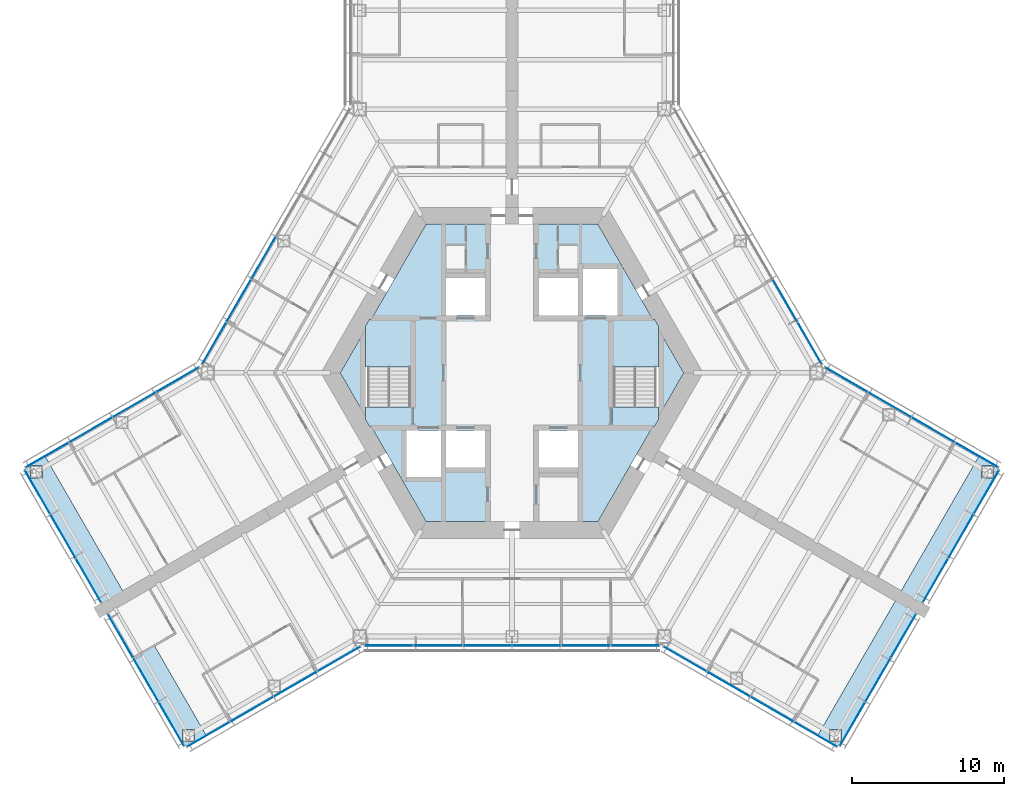
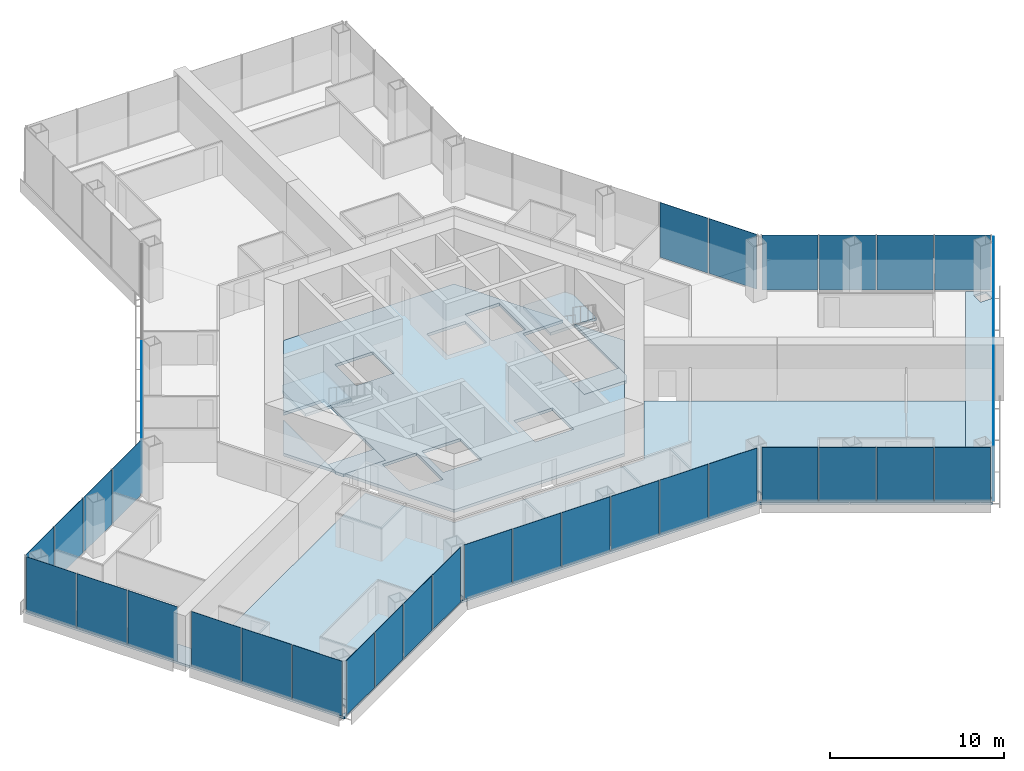
# One storey, part 10 of 18: 39 plates, 10 slabs, 13 elements without a shape of their own.
"""IFC4 building model written with IfcOpenShell, lengths in metres."""

from ifc_helpers import new_model, si_unit, direction, frame, origin, origin_2d, place, context, subcontext, project, spatial, polyline, rectangle, outline, extrude, material, layer, layer_set, type_object, element, aggregate, save


model = new_model("IFC4")

# Units and contexts
model_context = context("Model", 3, precision=1e-05, world=origin(), true_north=direction((0.0, 1.0)))
body_context = subcontext(model_context, "Body", "Model", "MODEL_VIEW")
ifc_project = project(units=[si_unit("LENGTHUNIT", "METRE"), si_unit("AREAUNIT", "SQUARE_METRE"), si_unit("VOLUMEUNIT", "CUBIC_METRE"), si_unit("PLANEANGLEUNIT", "RADIAN"), si_unit("MASSUNIT", "GRAM", prefix="KILO")], contexts=[model_context])

# Site, building, storey
site_placement = place(None, origin())
site = spatial("IfcSite", under=ifc_project, at=site_placement, CompositionType="ELEMENT")
building_placement = place(site_placement, origin())
building = spatial("IfcBuilding", under=site, at=building_placement, Name="Kasaneha Research Tower", CompositionType="ELEMENT")
storey_placement = place(building_placement, frame((0.0, 0.0, 119.699951171875)))
storey = spatial("IfcBuildingStorey", under=building, at=storey_placement, Name="L30", CompositionType="ELEMENT", Elevation=119.699951171875)

# Curtain wall, plates
ifc_material_1 = material(Name="Glass and aluminium", Category="aluminium")
curtain_wall_type = type_object("IfcCurtainWallType", Name="Low-rise office curtain wall", PredefinedType="USERDEFINED", material=ifc_material_1)
curtain_wall_1_placement = place(storey_placement, origin())
curtain_wall_1 = element("IfcCurtainWall", 1, at=curtain_wall_1_placement, inside=storey, type_object=curtain_wall_type, Name="CW-O1 L30 run 01a", ObjectType="UNITISED CURTAIN WALL", PredefinedType="USERDEFINED")
ifc_material_2 = material(Name="Laminated double glazing", Category="glass")
ifc_layer_1 = layer(ifc_material_2, 0.028076171875)
ifc_layer_set_1 = layer_set([ifc_layer_1], Name="CW-O1 glazed panel")
plate_type = type_object("IfcPlateType", Name="CW-O1 glazed panel", PredefinedType="CURTAIN_PANEL", material=ifc_layer_set_1)
plate_1_placement = place(storey_placement, frame((-19.945068359375, -23.755126953125, 0.06005859375), z_axis=(0.0, 0.0, 1.0), x_axis=(0.866025411464, 0.499999986699, 0.0)))
plate_1 = element("IfcPlate", 2, at=plate_1_placement, type_object=plate_type, Name="CW-O1 panel 1", PredefinedType="CURTAIN_PANEL", context=body_context, shape_type="SweptSolid", body=[
    extrude(rectangle(XDim=3.2197265625, YDim=0.028076171875, at=origin_2d()), origin(), (0.0, 0.0, 1.0), 3.840087890625),
])
plate_2_placement = place(storey_placement, frame((-17.091796875, -22.107666015625, 0.06005859375), z_axis=(0.0, 0.0, 1.0), x_axis=(0.866025411464, 0.499999986699, 0.0)))
plate_2 = element("IfcPlate", 3, at=plate_2_placement, type_object=plate_type, Name="CW-O1 panel 2", PredefinedType="CURTAIN_PANEL", context=body_context, shape_type="SweptSolid", body=[
    extrude(rectangle(XDim=3.249755859375, YDim=0.028076171875, at=origin_2d()), origin(), (0.0, 0.0, 1.0), 3.840087890625),
])
plate_3_placement = place(storey_placement, frame((-14.225341796875, -20.452880859375, 0.06005859375), z_axis=(0.0, 0.0, 1.0), x_axis=(0.866025411464, 0.499999986699, 0.0)))
plate_3 = element("IfcPlate", 4, at=plate_3_placement, type_object=plate_type, Name="CW-O1 panel 3", PredefinedType="CURTAIN_PANEL", context=body_context, shape_type="SweptSolid", body=[
    extrude(rectangle(XDim=3.249755859375, YDim=0.028076171875, at=origin_2d()), origin(), (0.0, 0.0, 1.0), 3.840087890625),
])
plate_4_placement = place(storey_placement, frame((-11.3720703125, -18.805419921875, 0.06005859375), z_axis=(0.0, 0.0, 1.0), x_axis=(0.866025411464, 0.499999986699, 0.0)))
plate_4 = element("IfcPlate", 5, at=plate_4_placement, type_object=plate_type, Name="CW-O1 panel 4", PredefinedType="CURTAIN_PANEL", context=body_context, shape_type="SweptSolid", body=[
    extrude(rectangle(XDim=3.2197265625, YDim=0.028076171875, at=origin_2d()), origin(), (0.0, 0.0, 1.0), 3.840087890625),
])
aggregate(curtain_wall_1, [plate_1, plate_2, plate_3, plate_4])

curtain_wall_2_placement = place(storey_placement, origin())
curtain_wall_2 = element("IfcCurtainWall", 6, at=curtain_wall_2_placement, inside=storey, type_object=curtain_wall_type, Name="CW-O1 L30 run 02a", ObjectType="UNITISED CURTAIN WALL", PredefinedType="USERDEFINED")
plate_5_placement = place(storey_placement, frame((-8.10107421875, -17.92041015625, 0.06005859375), z_axis=(0.0, 0.0, 1.0), x_axis=(1.0, 0.0, 0.0)))
plate_5 = element("IfcPlate", 7, at=plate_5_placement, type_object=plate_type, Name="CW-O1 panel 1", PredefinedType="CURTAIN_PANEL", context=body_context, shape_type="SweptSolid", body=[
    extrude(rectangle(XDim=3.156494140625, YDim=0.028076171875, at=origin_2d()), origin(), (0.0, 0.0, 1.0), 3.840087890625),
])
plate_6_placement = place(storey_placement, frame((-4.86962890625, -17.92041015625, 0.06005859375), z_axis=(0.0, 0.0, 1.0), x_axis=(1.0, 0.0, 0.0)))
plate_6 = element("IfcPlate", 8, at=plate_6_placement, type_object=plate_type, Name="CW-O1 panel 2", PredefinedType="CURTAIN_PANEL", context=body_context, shape_type="SweptSolid", body=[
    extrude(rectangle(XDim=3.1865234375, YDim=0.028076171875, at=origin_2d()), origin(), (0.0, 0.0, 1.0), 3.840087890625),
])
plate_7_placement = place(storey_placement, frame((-1.623291015625, -17.92041015625, 0.06005859375), z_axis=(0.0, 0.0, 1.0), x_axis=(1.0, 0.0, 0.0)))
plate_7 = element("IfcPlate", 9, at=plate_7_placement, type_object=plate_type, Name="CW-O1 panel 3", PredefinedType="CURTAIN_PANEL", context=body_context, shape_type="SweptSolid", body=[
    extrude(rectangle(XDim=3.1865234375, YDim=0.028076171875, at=origin_2d()), origin(), (0.0, 0.0, 1.0), 3.840087890625),
])
plate_8_placement = place(storey_placement, frame((1.623291015625, -17.92041015625, 0.06005859375), z_axis=(0.0, 0.0, 1.0), x_axis=(1.0, 0.0, 0.0)))
plate_8 = element("IfcPlate", 10, at=plate_8_placement, type_object=plate_type, Name="CW-O1 panel 4", PredefinedType="CURTAIN_PANEL", context=body_context, shape_type="SweptSolid", body=[
    extrude(rectangle(XDim=3.1865234375, YDim=0.028076171875, at=origin_2d()), origin(), (0.0, 0.0, 1.0), 3.840087890625),
])
plate_9_placement = place(storey_placement, frame((4.86962890625, -17.92041015625, 0.06005859375), z_axis=(0.0, 0.0, 1.0), x_axis=(1.0, 0.0, 0.0)))
plate_9 = element("IfcPlate", 11, at=plate_9_placement, type_object=plate_type, Name="CW-O1 panel 5", PredefinedType="CURTAIN_PANEL", context=body_context, shape_type="SweptSolid", body=[
    extrude(rectangle(XDim=3.1865234375, YDim=0.028076171875, at=origin_2d()), origin(), (0.0, 0.0, 1.0), 3.840087890625),
])
plate_10_placement = place(storey_placement, frame((8.10107421875, -17.92041015625, 0.06005859375), z_axis=(0.0, 0.0, 1.0), x_axis=(1.0, 0.0, 0.0)))
plate_10 = element("IfcPlate", 12, at=plate_10_placement, type_object=plate_type, Name="CW-O1 panel 6", PredefinedType="CURTAIN_PANEL", context=body_context, shape_type="SweptSolid", body=[
    extrude(rectangle(XDim=3.156494140625, YDim=0.028076171875, at=origin_2d()), origin(), (0.0, 0.0, 1.0), 3.840087890625),
])
aggregate(curtain_wall_2, [plate_5, plate_6, plate_7, plate_8, plate_9, plate_10])

curtain_wall_3_placement = place(storey_placement, origin())
curtain_wall_3 = element("IfcCurtainWall", 13, at=curtain_wall_3_placement, inside=storey, type_object=curtain_wall_type, Name="CW-O1 L30 run 03a", ObjectType="UNITISED CURTAIN WALL", PredefinedType="USERDEFINED")
plate_11_placement = place(storey_placement, frame((11.3720703125, -18.805419921875, 0.06005859375), z_axis=(0.0, 0.0, 1.0), x_axis=(0.866025411464, -0.499999986699, 0.0)))
plate_11 = element("IfcPlate", 14, at=plate_11_placement, type_object=plate_type, Name="CW-O1 panel 1", PredefinedType="CURTAIN_PANEL", context=body_context, shape_type="SweptSolid", body=[
    extrude(rectangle(XDim=3.2197265625, YDim=0.028076171875, at=origin_2d()), origin(), (0.0, 0.0, 1.0), 3.840087890625),
])
plate_12_placement = place(storey_placement, frame((14.225341796875, -20.452880859375, 0.06005859375), z_axis=(0.0, 0.0, 1.0), x_axis=(0.866025411464, -0.499999986699, 0.0)))
plate_12 = element("IfcPlate", 15, at=plate_12_placement, type_object=plate_type, Name="CW-O1 panel 2", PredefinedType="CURTAIN_PANEL", context=body_context, shape_type="SweptSolid", body=[
    extrude(rectangle(XDim=3.249755859375, YDim=0.028076171875, at=origin_2d()), origin(), (0.0, 0.0, 1.0), 3.840087890625),
])
plate_13_placement = place(storey_placement, frame((17.091796875, -22.107666015625, 0.06005859375), z_axis=(0.0, 0.0, 1.0), x_axis=(0.866025411464, -0.499999986699, 0.0)))
plate_13 = element("IfcPlate", 16, at=plate_13_placement, type_object=plate_type, Name="CW-O1 panel 3", PredefinedType="CURTAIN_PANEL", context=body_context, shape_type="SweptSolid", body=[
    extrude(rectangle(XDim=3.249755859375, YDim=0.028076171875, at=origin_2d()), origin(), (0.0, 0.0, 1.0), 3.840087890625),
])
plate_14_placement = place(storey_placement, frame((19.945068359375, -23.755126953125, 0.06005859375), z_axis=(0.0, 0.0, 1.0), x_axis=(0.866025411464, -0.499999986699, 0.0)))
plate_14 = element("IfcPlate", 17, at=plate_14_placement, type_object=plate_type, Name="CW-O1 panel 4", PredefinedType="CURTAIN_PANEL", context=body_context, shape_type="SweptSolid", body=[
    extrude(rectangle(XDim=3.2197265625, YDim=0.028076171875, at=origin_2d()), origin(), (0.0, 0.0, 1.0), 3.840087890625),
])
aggregate(curtain_wall_3, [plate_11, plate_12, plate_13, plate_14])

curtain_wall_4_placement = place(storey_placement, origin())
curtain_wall_4 = element("IfcCurtainWall", 18, at=curtain_wall_4_placement, inside=storey, type_object=curtain_wall_type, Name="CW-O1 L30 run 04a", ObjectType="UNITISED CURTAIN WALL", PredefinedType="USERDEFINED")
plate_15_placement = place(storey_placement, frame((22.377197265625, -23.082763671875, 0.06005859375), z_axis=(0.0, 0.0, 1.0), x_axis=(0.500000011442, 0.866025397178, 0.0)))
plate_15 = element("IfcPlate", 19, at=plate_15_placement, type_object=plate_type, Name="CW-O1 panel 1", PredefinedType="CURTAIN_PANEL", context=body_context, shape_type="SweptSolid", body=[
    extrude(rectangle(XDim=3.276611328125, YDim=0.028076171875, at=origin_2d()), origin(), (0.0, 0.0, 1.0), 3.840087890625),
])
plate_16_placement = place(storey_placement, frame((24.052978515625, -20.18017578125, 0.06005859375), z_axis=(0.0, 0.0, 1.0), x_axis=(0.500000011442, 0.866025397178, 0.0)))
plate_16 = element("IfcPlate", 20, at=plate_16_placement, type_object=plate_type, Name="CW-O1 panel 2", PredefinedType="CURTAIN_PANEL", context=body_context, shape_type="SweptSolid", body=[
    extrude(rectangle(XDim=3.306640625, YDim=0.028076171875, at=origin_2d()), origin(), (0.0, 0.0, 1.0), 3.840087890625),
])
plate_17_placement = place(storey_placement, frame((25.728759765625, -17.27734375, 0.06005859375), z_axis=(0.0, 0.0, 1.0), x_axis=(0.500000011442, 0.866025397178, 0.0)))
plate_17 = element("IfcPlate", 21, at=plate_17_placement, type_object=plate_type, Name="CW-O1 panel 3", PredefinedType="CURTAIN_PANEL", context=body_context, shape_type="SweptSolid", body=[
    extrude(rectangle(XDim=3.276611328125, YDim=0.028076171875, at=origin_2d()), origin(), (0.0, 0.0, 1.0), 3.840087890625),
])
aggregate(curtain_wall_4, [plate_15, plate_16, plate_17])

curtain_wall_5_placement = place(storey_placement, origin())
curtain_wall_5 = element("IfcCurtainWall", 22, at=curtain_wall_5_placement, inside=storey, type_object=curtain_wall_type, Name="CW-O1 L30 run 05a", ObjectType="UNITISED CURTAIN WALL", PredefinedType="USERDEFINED")
plate_18_placement = place(storey_placement, frame((27.8271484375, -13.64306640625, 0.06005859375), z_axis=(0.0, 0.0, 1.0), x_axis=(0.500000011442, 0.866025397178, 0.0)))
plate_18 = element("IfcPlate", 23, at=plate_18_placement, type_object=plate_type, Name="CW-O1 panel 1", PredefinedType="CURTAIN_PANEL", context=body_context, shape_type="SweptSolid", body=[
    extrude(rectangle(XDim=3.276611328125, YDim=0.028076171875, at=origin_2d()), origin(), (0.0, 0.0, 1.0), 3.840087890625),
])
plate_19_placement = place(storey_placement, frame((29.5029296875, -10.740478515625, 0.06005859375), z_axis=(0.0, 0.0, 1.0), x_axis=(0.500000011442, 0.866025397178, 0.0)))
plate_19 = element("IfcPlate", 24, at=plate_19_placement, type_object=plate_type, Name="CW-O1 panel 2", PredefinedType="CURTAIN_PANEL", context=body_context, shape_type="SweptSolid", body=[
    extrude(rectangle(XDim=3.306640625, YDim=0.028076171875, at=origin_2d()), origin(), (0.0, 0.0, 1.0), 3.840087890625),
])
plate_20_placement = place(storey_placement, frame((31.1787109375, -7.837890625, 0.06005859375), z_axis=(0.0, 0.0, 1.0), x_axis=(0.500000011442, 0.866025397178, 0.0)))
plate_20 = element("IfcPlate", 25, at=plate_20_placement, type_object=plate_type, Name="CW-O1 panel 3", PredefinedType="CURTAIN_PANEL", context=body_context, shape_type="SweptSolid", body=[
    extrude(rectangle(XDim=3.276611328125, YDim=0.028076171875, at=origin_2d()), origin(), (0.0, 0.0, 1.0), 3.840087890625),
])
aggregate(curtain_wall_5, [plate_18, plate_19, plate_20])

curtain_wall_6_placement = place(storey_placement, origin())
curtain_wall_6 = element("IfcCurtainWall", 26, at=curtain_wall_6_placement, inside=storey, type_object=curtain_wall_type, Name="CW-O1 L30 run 06a", ObjectType="UNITISED CURTAIN WALL", PredefinedType="USERDEFINED")
plate_21_placement = place(storey_placement, frame((30.545166015625, -5.3955078125, 0.06005859375), z_axis=(0.0, 0.0, 1.0), x_axis=(-0.866025411464, 0.499999986699, 0.0)))
plate_21 = element("IfcPlate", 27, at=plate_21_placement, type_object=plate_type, Name="CW-O1 panel 1", PredefinedType="CURTAIN_PANEL", context=body_context, shape_type="SweptSolid", body=[
    extrude(rectangle(XDim=3.2197265625, YDim=0.028076171875, at=origin_2d()), origin(), (0.0, 0.0, 1.0), 3.840087890625),
])
plate_22_placement = place(storey_placement, frame((27.69189453125, -3.748046875, 0.06005859375), z_axis=(0.0, 0.0, 1.0), x_axis=(-0.866025411464, 0.499999986699, 0.0)))
plate_22 = element("IfcPlate", 28, at=plate_22_placement, type_object=plate_type, Name="CW-O1 panel 2", PredefinedType="CURTAIN_PANEL", context=body_context, shape_type="SweptSolid", body=[
    extrude(rectangle(XDim=3.249755859375, YDim=0.028076171875, at=origin_2d()), origin(), (0.0, 0.0, 1.0), 3.840087890625),
])
plate_23_placement = place(storey_placement, frame((24.825439453125, -2.093017578125, 0.06005859375), z_axis=(0.0, 0.0, 1.0), x_axis=(-0.866025411464, 0.499999986699, 0.0)))
plate_23 = element("IfcPlate", 29, at=plate_23_placement, type_object=plate_type, Name="CW-O1 panel 3", PredefinedType="CURTAIN_PANEL", context=body_context, shape_type="SweptSolid", body=[
    extrude(rectangle(XDim=3.249755859375, YDim=0.028076171875, at=origin_2d()), origin(), (0.0, 0.0, 1.0), 3.840087890625),
])
plate_24_placement = place(storey_placement, frame((21.971923828125, -0.44580078125, 0.06005859375), z_axis=(0.0, 0.0, 1.0), x_axis=(-0.866025411464, 0.499999986699, 0.0)))
plate_24 = element("IfcPlate", 30, at=plate_24_placement, type_object=plate_type, Name="CW-O1 panel 4", PredefinedType="CURTAIN_PANEL", context=body_context, shape_type="SweptSolid", body=[
    extrude(rectangle(XDim=3.2197265625, YDim=0.028076171875, at=origin_2d()), origin(), (0.0, 0.0, 1.0), 3.840087890625),
])
aggregate(curtain_wall_6, [plate_21, plate_22, plate_23, plate_24])

curtain_wall_7_placement = place(storey_placement, origin())
curtain_wall_7 = element("IfcCurtainWall", 31, at=curtain_wall_7_placement, inside=storey, type_object=curtain_wall_type, Name="CW-O1 L30 run 07a", ObjectType="UNITISED CURTAIN WALL", PredefinedType="USERDEFINED")
plate_25_placement = place(storey_placement, frame((19.570068359375, 1.944580078125, 0.06005859375), z_axis=(0.0, 0.0, 1.0), x_axis=(-0.49999996188, 0.866025425793, 0.0)))
plate_25 = element("IfcPlate", 32, at=plate_25_placement, type_object=plate_type, Name="CW-O1 panel 1", PredefinedType="CURTAIN_PANEL", context=body_context, shape_type="SweptSolid", body=[
    extrude(rectangle(XDim=3.156494140625, YDim=0.028076171875, at=origin_2d()), origin(), (0.0, 0.0, 1.0), 3.840087890625),
])
plate_26_placement = place(storey_placement, frame((17.954345703125, 4.7431640625, 0.06005859375), z_axis=(0.0, 0.0, 1.0), x_axis=(-0.49999996188, 0.866025425793, 0.0)))
plate_26 = element("IfcPlate", 33, at=plate_26_placement, type_object=plate_type, Name="CW-O1 panel 2", PredefinedType="CURTAIN_PANEL", context=body_context, shape_type="SweptSolid", body=[
    extrude(rectangle(XDim=3.1865234375, YDim=0.028076171875, at=origin_2d()), origin(), (0.0, 0.0, 1.0), 3.840087890625),
])
aggregate(curtain_wall_7, [plate_25, plate_26])

curtain_wall_8_placement = place(storey_placement, origin())
curtain_wall_8 = element("IfcCurtainWall", 34, at=curtain_wall_8_placement, inside=storey, type_object=curtain_wall_type, Name="CW-O1 L30 run 12a", ObjectType="UNITISED CURTAIN WALL", PredefinedType="USERDEFINED")
plate_27_placement = place(storey_placement, frame((-16.331298828125, 7.554443359375, 0.06005859375), z_axis=(0.0, 0.0, 1.0), x_axis=(-0.49999996188, -0.866025425793, 0.0)))
plate_27 = element("IfcPlate", 35, at=plate_27_placement, type_object=plate_type, Name="CW-O1 panel 4", PredefinedType="CURTAIN_PANEL", context=body_context, shape_type="SweptSolid", body=[
    extrude(rectangle(XDim=3.1865234375, YDim=0.028076171875, at=origin_2d()), origin(), (0.0, 0.0, 1.0), 3.840087890625),
])
plate_28_placement = place(storey_placement, frame((-17.954345703125, 4.7431640625, 0.06005859375), z_axis=(0.0, 0.0, 1.0), x_axis=(-0.49999996188, -0.866025425793, 0.0)))
plate_28 = element("IfcPlate", 36, at=plate_28_placement, type_object=plate_type, Name="CW-O1 panel 5", PredefinedType="CURTAIN_PANEL", context=body_context, shape_type="SweptSolid", body=[
    extrude(rectangle(XDim=3.1865234375, YDim=0.028076171875, at=origin_2d()), origin(), (0.0, 0.0, 1.0), 3.840087890625),
])
plate_29_placement = place(storey_placement, frame((-19.570068359375, 1.944580078125, 0.06005859375), z_axis=(0.0, 0.0, 1.0), x_axis=(-0.49999996188, -0.866025425793, 0.0)))
plate_29 = element("IfcPlate", 37, at=plate_29_placement, type_object=plate_type, Name="CW-O1 panel 6", PredefinedType="CURTAIN_PANEL", context=body_context, shape_type="SweptSolid", body=[
    extrude(rectangle(XDim=3.156494140625, YDim=0.028076171875, at=origin_2d()), origin(), (0.0, 0.0, 1.0), 3.840087890625),
])
aggregate(curtain_wall_8, [plate_27, plate_28, plate_29])

curtain_wall_9_placement = place(storey_placement, origin())
curtain_wall_9 = element("IfcCurtainWall", 38, at=curtain_wall_9_placement, inside=storey, type_object=curtain_wall_type, Name="CW-O1 L30 run 13a", ObjectType="UNITISED CURTAIN WALL", PredefinedType="USERDEFINED")
plate_30_placement = place(storey_placement, frame((-21.971923828125, -0.44580078125, 0.06005859375), z_axis=(0.0, 0.0, 1.0), x_axis=(-0.866025411464, -0.499999986699, 0.0)))
plate_30 = element("IfcPlate", 39, at=plate_30_placement, type_object=plate_type, Name="CW-O1 panel 1", PredefinedType="CURTAIN_PANEL", context=body_context, shape_type="SweptSolid", body=[
    extrude(rectangle(XDim=3.2197265625, YDim=0.028076171875, at=origin_2d()), origin(), (0.0, 0.0, 1.0), 3.840087890625),
])
plate_31_placement = place(storey_placement, frame((-24.825439453125, -2.093017578125, 0.06005859375), z_axis=(0.0, 0.0, 1.0), x_axis=(-0.866025411464, -0.499999986699, 0.0)))
plate_31 = element("IfcPlate", 40, at=plate_31_placement, type_object=plate_type, Name="CW-O1 panel 2", PredefinedType="CURTAIN_PANEL", context=body_context, shape_type="SweptSolid", body=[
    extrude(rectangle(XDim=3.249755859375, YDim=0.028076171875, at=origin_2d()), origin(), (0.0, 0.0, 1.0), 3.840087890625),
])
plate_32_placement = place(storey_placement, frame((-27.69189453125, -3.748046875, 0.06005859375), z_axis=(0.0, 0.0, 1.0), x_axis=(-0.866025411464, -0.499999986699, 0.0)))
plate_32 = element("IfcPlate", 41, at=plate_32_placement, type_object=plate_type, Name="CW-O1 panel 3", PredefinedType="CURTAIN_PANEL", context=body_context, shape_type="SweptSolid", body=[
    extrude(rectangle(XDim=3.249755859375, YDim=0.028076171875, at=origin_2d()), origin(), (0.0, 0.0, 1.0), 3.840087890625),
])
plate_33_placement = place(storey_placement, frame((-30.545166015625, -5.3955078125, 0.06005859375), z_axis=(0.0, 0.0, 1.0), x_axis=(-0.866025411464, -0.499999986699, 0.0)))
plate_33 = element("IfcPlate", 42, at=plate_33_placement, type_object=plate_type, Name="CW-O1 panel 4", PredefinedType="CURTAIN_PANEL", context=body_context, shape_type="SweptSolid", body=[
    extrude(rectangle(XDim=3.2197265625, YDim=0.028076171875, at=origin_2d()), origin(), (0.0, 0.0, 1.0), 3.840087890625),
])
aggregate(curtain_wall_9, [plate_30, plate_31, plate_32, plate_33])

curtain_wall_10_placement = place(storey_placement, origin())
curtain_wall_10 = element("IfcCurtainWall", 43, at=curtain_wall_10_placement, inside=storey, type_object=curtain_wall_type, Name="CW-O1 L30 run 14a", ObjectType="UNITISED CURTAIN WALL", PredefinedType="USERDEFINED")
plate_34_placement = place(storey_placement, frame((-31.1787109375, -7.837890625, 0.06005859375), z_axis=(0.0, 0.0, 1.0), x_axis=(0.500000011442, -0.866025397178, 0.0)))
plate_34 = element("IfcPlate", 44, at=plate_34_placement, type_object=plate_type, Name="CW-O1 panel 1", PredefinedType="CURTAIN_PANEL", context=body_context, shape_type="SweptSolid", body=[
    extrude(rectangle(XDim=3.276611328125, YDim=0.028076171875, at=origin_2d()), origin(), (0.0, 0.0, 1.0), 3.840087890625),
])
plate_35_placement = place(storey_placement, frame((-29.5029296875, -10.740478515625, 0.06005859375), z_axis=(0.0, 0.0, 1.0), x_axis=(0.500000011442, -0.866025397178, 0.0)))
plate_35 = element("IfcPlate", 45, at=plate_35_placement, type_object=plate_type, Name="CW-O1 panel 2", PredefinedType="CURTAIN_PANEL", context=body_context, shape_type="SweptSolid", body=[
    extrude(rectangle(XDim=3.306640625, YDim=0.028076171875, at=origin_2d()), origin(), (0.0, 0.0, 1.0), 3.840087890625),
])
plate_36_placement = place(storey_placement, frame((-27.8271484375, -13.64306640625, 0.06005859375), z_axis=(0.0, 0.0, 1.0), x_axis=(0.500000011442, -0.866025397178, 0.0)))
plate_36 = element("IfcPlate", 46, at=plate_36_placement, type_object=plate_type, Name="CW-O1 panel 3", PredefinedType="CURTAIN_PANEL", context=body_context, shape_type="SweptSolid", body=[
    extrude(rectangle(XDim=3.276611328125, YDim=0.028076171875, at=origin_2d()), origin(), (0.0, 0.0, 1.0), 3.840087890625),
])
aggregate(curtain_wall_10, [plate_34, plate_35, plate_36])

curtain_wall_11_placement = place(storey_placement, origin())
curtain_wall_11 = element("IfcCurtainWall", 47, at=curtain_wall_11_placement, inside=storey, type_object=curtain_wall_type, Name="CW-O1 L30 run 15a", ObjectType="UNITISED CURTAIN WALL", PredefinedType="USERDEFINED")
plate_37_placement = place(storey_placement, frame((-25.728759765625, -17.27734375, 0.06005859375), z_axis=(0.0, 0.0, 1.0), x_axis=(0.500000011442, -0.866025397178, 0.0)))
plate_37 = element("IfcPlate", 48, at=plate_37_placement, type_object=plate_type, Name="CW-O1 panel 1", PredefinedType="CURTAIN_PANEL", context=body_context, shape_type="SweptSolid", body=[
    extrude(rectangle(XDim=3.276611328125, YDim=0.028076171875, at=origin_2d()), origin(), (0.0, 0.0, 1.0), 3.840087890625),
])
plate_38_placement = place(storey_placement, frame((-24.052978515625, -20.18017578125, 0.06005859375), z_axis=(0.0, 0.0, 1.0), x_axis=(0.500000011442, -0.866025397178, 0.0)))
plate_38 = element("IfcPlate", 49, at=plate_38_placement, type_object=plate_type, Name="CW-O1 panel 2", PredefinedType="CURTAIN_PANEL", context=body_context, shape_type="SweptSolid", body=[
    extrude(rectangle(XDim=3.306640625, YDim=0.028076171875, at=origin_2d()), origin(), (0.0, 0.0, 1.0), 3.840087890625),
])
plate_39_placement = place(storey_placement, frame((-22.377197265625, -23.082763671875, 0.06005859375), z_axis=(0.0, 0.0, 1.0), x_axis=(0.500000011442, -0.866025397178, 0.0)))
plate_39 = element("IfcPlate", 50, at=plate_39_placement, type_object=plate_type, Name="CW-O1 panel 3", PredefinedType="CURTAIN_PANEL", context=body_context, shape_type="SweptSolid", body=[
    extrude(rectangle(XDim=3.276611328125, YDim=0.028076171875, at=origin_2d()), origin(), (0.0, 0.0, 1.0), 3.840087890625),
])
aggregate(curtain_wall_11, [plate_37, plate_38, plate_39])

# Slabs
ifc_material_3 = material(Name="Concrete Fc24", Category="concrete")
ifc_layer_2 = layer(ifc_material_3, 0.199951171875)
ifc_layer_set_2 = layer_set([ifc_layer_2], Name="Core floor slab 200")
slab_type_1 = type_object("IfcSlabType", Name="Core floor slab 200", PredefinedType="FLOOR", material=ifc_layer_set_2)
slab_1_placement = place(storey_placement, frame((0.0, 0.0, -0.199951171875)))
element("IfcSlab", 51, at=slab_1_placement, inside=storey, type_object=slab_type_1, Name="Core slab L30", PredefinedType="FLOOR", context=body_context, shape_type="SweptSolid", body=[
    extrude(outline(polyline([(-11.287109375, 0.0), (-9.625, 2.87890625), (-9.625, -2.87890625), (-11.287109375, 0.0)])), origin(), (0.0, 0.0, 1.0), 0.199951171875),
])
slab_2_placement = place(storey_placement, frame((0.0, 0.0, -0.199951171875)))
element("IfcSlab", 52, at=slab_2_placement, inside=storey, type_object=slab_type_1, Name="Core slab L30", PredefinedType="FLOOR", context=body_context, shape_type="SweptSolid", body=[
    extrude(outline(polyline([(-5.6435546875, 9.77490234375), (5.6435546875, 9.77490234375), (9.251953125, 3.52490234375), (6.574951171875, 3.52490234375), (6.574951171875, -3.52490234375), (9.251953125, -3.52490234375), (5.6435546875, -9.77490234375), (-5.6435546875, -9.77490234375), (-9.251953125, -3.52490234375), (-6.574951171875, -3.52490234375), (-6.574951171875, 3.52490234375), (-9.251953125, 3.52490234375), (-5.6435546875, 9.77490234375)]), holes=[polyline([(-6.925048828125, -3.77490234375), (-6.925048828125, -6.824951171875), (-4.675048828125, -6.824951171875), (-4.675048828125, -3.77490234375), (-6.925048828125, -3.77490234375)]), polyline([(-4.324951171875, -3.77490234375), (-4.324951171875, -6.22509765625), (-1.77490234375, -6.22509765625), (-1.77490234375, -3.77490234375), (-4.324951171875, -3.77490234375)]), polyline([(1.77490234375, -3.77490234375), (1.77490234375, -6.22509765625), (4.324951171875, -6.22509765625), (4.324951171875, -3.77490234375), (1.77490234375, -3.77490234375)]), polyline([(-4.324951171875, 6.22509765625), (-4.324951171875, 3.77490234375), (-1.77490234375, 3.77490234375), (-1.77490234375, 6.22509765625), (-4.324951171875, 6.22509765625)]), polyline([(1.77490234375, 6.22509765625), (1.77490234375, 3.77490234375), (4.324951171875, 3.77490234375), (4.324951171875, 6.22509765625), (1.77490234375, 6.22509765625)]), polyline([(4.675048828125, 6.824951171875), (4.675048828125, 3.77490234375), (6.925048828125, 3.77490234375), (6.925048828125, 6.824951171875), (4.675048828125, 6.824951171875)])]), origin(), (0.0, 0.0, 1.0), 0.199951171875),
])
slab_3_placement = place(storey_placement, frame((0.0, 0.0, -0.199951171875)))
element("IfcSlab", 53, at=slab_3_placement, inside=storey, type_object=slab_type_1, Name="Core slab L30", PredefinedType="FLOOR", context=body_context, shape_type="SweptSolid", body=[
    extrude(outline(polyline([(11.287109375, 0.0), (9.625, -2.87890625), (9.625, 2.87890625), (11.287109375, 0.0)])), origin(), (0.0, 0.0, 1.0), 0.199951171875),
])
ifc_material_4 = material(Name="Concrete Fc24", Category="concrete")
ifc_layer_3 = layer(ifc_material_4, 0.14990234375)
ifc_layer_set_3 = layer_set([ifc_layer_3], Name="Floor slab 150")
slab_type_2 = type_object("IfcSlabType", Name="Floor slab 150", PredefinedType="FLOOR", material=ifc_layer_set_3)
slab_4_placement = place(storey_placement, frame((0.0, 0.0, -0.14990234375)))
element("IfcSlab", 54, at=slab_4_placement, inside=storey, type_object=slab_type_2, Name="Floor slab L30 1", PredefinedType="FLOOR", context=body_context, shape_type="SweptSolid", body=[
    extrude(outline(polyline([(-25.1923828125, -15.006591796875), (-25.18359375, -15.001708984375), (-20.108642578125, -23.791748046875), (-21.459716796875, -24.57177734375), (-21.65576171875, -24.232177734375), (-21.644287109375, -24.220703125), (-20.858154296875, -24.220703125), (-20.858154296875, -23.42041015625), (-21.658447265625, -23.42041015625), (-21.658447265625, -24.20654296875), (-21.666015625, -24.214111328125), (-31.65576171875, -6.91162109375), (-31.644287109375, -6.900146484375), (-30.858154296875, -6.900146484375), (-30.858154296875, -6.099853515625), (-31.658447265625, -6.099853515625), (-31.658447265625, -6.885986328125), (-31.666015625, -6.8935546875), (-32.009521484375, -6.298583984375), (-30.65869140625, -5.518798828125), (-25.583740234375, -14.308837890625), (-25.59228515625, -14.313720703125), (-25.1923828125, -15.006591796875)])), origin(), (0.0, 0.0, 1.0), 0.14990234375),
])
slab_5_placement = place(storey_placement, frame((0.0, 0.0, -0.14990234375)))
element("IfcSlab", 55, at=slab_5_placement, inside=storey, type_object=slab_type_2, Name="Floor slab L30 4", PredefinedType="FLOOR", context=body_context, shape_type="SweptSolid", body=[
    extrude(outline(polyline([(-6.278564453125, -10.875), (6.278564453125, -10.875), (9.218017578125, -5.783935546875), (25.18359375, -15.001708984375), (20.108642578125, -23.791748046875), (14.369384765625, -20.478271484375), (14.377197265625, -20.470703125), (15.163330078125, -20.470703125), (15.163330078125, -19.67041015625), (14.363037109375, -19.67041015625), (14.363037109375, -20.45654296875), (14.3515625, -20.468017578125), (9.8525390625, -17.87060546875), (-9.8525390625, -17.87060546875), (-15.217529296875, -20.968017578125), (-15.22900390625, -20.95654296875), (-15.22900390625, -20.17041015625), (-16.029296875, -20.17041015625), (-16.029296875, -20.970703125), (-15.2431640625, -20.970703125), (-15.235595703125, -20.978271484375), (-20.108642578125, -23.791748046875), (-25.18359375, -15.001708984375), (-9.218017578125, -5.783935546875), (-6.278564453125, -10.875)]), holes=[polyline([(0.39990234375, -17.720458984375), (0.39990234375, -16.92041015625), (-0.39990234375, -16.92041015625), (-0.39990234375, -17.720458984375), (0.39990234375, -17.720458984375)]), polyline([(-9.550048828125, -16.87060546875), (-10.449951171875, -16.87060546875), (-10.449951171875, -17.7705078125), (-9.550048828125, -17.7705078125), (-9.550048828125, -16.87060546875)]), polyline([(10.449951171875, -16.87060546875), (9.550048828125, -16.87060546875), (9.550048828125, -17.7705078125), (10.449951171875, -17.7705078125), (10.449951171875, -16.87060546875)])]), origin(), (0.0, 0.0, 1.0), 0.14990234375),
])
slab_6_placement = place(storey_placement, frame((0.0, 0.0, -0.14990234375)))
element("IfcSlab", 56, at=slab_6_placement, inside=storey, type_object=slab_type_2, Name="Floor slab L30 6", PredefinedType="FLOOR", context=body_context, shape_type="SweptSolid", body=[
    extrude(outline(polyline([(25.1923828125, -15.006591796875), (25.59228515625, -14.313720703125), (25.583740234375, -14.308837890625), (30.65869140625, -5.518798828125), (32.009521484375, -6.298583984375), (31.666015625, -6.8935546875), (31.658447265625, -6.885986328125), (31.658447265625, -6.099853515625), (30.858154296875, -6.099853515625), (30.858154296875, -6.900146484375), (31.644287109375, -6.900146484375), (31.65576171875, -6.91162109375), (21.666015625, -24.214111328125), (21.658447265625, -24.20654296875), (21.658447265625, -23.42041015625), (20.858154296875, -23.42041015625), (20.858154296875, -24.220703125), (21.644287109375, -24.220703125), (21.65576171875, -24.232177734375), (21.459716796875, -24.57177734375), (20.108642578125, -23.791748046875), (25.18359375, -15.001708984375), (25.1923828125, -15.006591796875)])), origin(), (0.0, 0.0, 1.0), 0.14990234375),
])

# Stair, slabs
ifc_material_5 = material(Name="Concrete Fc24", Category="concrete")
stair_type = type_object("IfcStairType", Name="Half-turn stair 22 risers", PredefinedType="HALF_TURN_STAIR", material=ifc_material_5)
stair_1_placement = place(storey_placement, origin())
stair_1 = element("IfcStair", 57, at=stair_1_placement, inside=storey, type_object=stair_type, Name="Stair 1 L30", PredefinedType="HALF_TURN_STAIR")
ifc_material_6 = material(Name="Concrete Fc24", Category="concrete")
ifc_layer_4 = layer(ifc_material_6, 0.199951171875)
ifc_layer_set_4 = layer_set([ifc_layer_4], Name="Stair 1 landing 200")
slab_type_3 = type_object("IfcSlabType", Name="Stair 1 landing 200", PredefinedType="LANDING", material=ifc_layer_set_4)
slab_7_placement = place(storey_placement, frame((0.0, 0.0, -0.199951171875)))
slab_7 = element("IfcSlab", 58, at=slab_7_placement, type_object=slab_type_3, Name="ST1-22R landing 1", PredefinedType="LANDING", context=body_context, shape_type="SweptSolid", body=[
    extrude(outline(polyline([(9.367431640625, -3.52490234375), (6.574951171875, -3.52490234375), (6.574951171875, -2.22509765625), (9.625, -2.22509765625), (9.625, -3.0791015625), (9.367431640625, -3.52490234375)])), origin(), (0.0, 0.0, 1.0), 0.199951171875),
])
slab_8_placement = place(storey_placement, frame((0.0, 0.0, 1.75)))
slab_8 = element("IfcSlab", 59, at=slab_8_placement, type_object=slab_type_3, Name="ST1-22R landing 2", PredefinedType="LANDING", context=body_context, shape_type="SweptSolid", body=[
    extrude(outline(polyline([(6.574951171875, 3.52490234375), (9.367431640625, 3.52490234375), (9.625, 3.0791015625), (9.625, 0.375), (6.574951171875, 0.375), (6.574951171875, 3.52490234375)])), origin(), (0.0, 0.0, 1.0), 0.199951171875),
])
aggregate(stair_1, [slab_7, slab_8])

stair_2_placement = place(storey_placement, origin())
stair_2 = element("IfcStair", 60, at=stair_2_placement, inside=storey, type_object=stair_type, Name="Stair 2 L30", PredefinedType="HALF_TURN_STAIR")
ifc_material_7 = material(Name="Concrete Fc24", Category="concrete")
ifc_layer_5 = layer(ifc_material_7, 0.199951171875)
ifc_layer_set_5 = layer_set([ifc_layer_5], Name="Stair 2 landing 200")
slab_type_4 = type_object("IfcSlabType", Name="Stair 2 landing 200", PredefinedType="LANDING", material=ifc_layer_set_5)
slab_9_placement = place(storey_placement, frame((0.0, 0.0, -0.199951171875)))
slab_9 = element("IfcSlab", 61, at=slab_9_placement, type_object=slab_type_4, Name="ST2-22R landing 1", PredefinedType="LANDING", context=body_context, shape_type="SweptSolid", body=[
    extrude(outline(polyline([(-6.574951171875, -3.52490234375), (-9.367431640625, -3.52490234375), (-9.625, -3.0791015625), (-9.625, -2.22509765625), (-6.574951171875, -2.22509765625), (-6.574951171875, -3.52490234375)])), origin(), (0.0, 0.0, 1.0), 0.199951171875),
])
slab_10_placement = place(storey_placement, frame((0.0, 0.0, 1.75)))
slab_10 = element("IfcSlab", 62, at=slab_10_placement, type_object=slab_type_4, Name="ST2-22R landing 2", PredefinedType="LANDING", context=body_context, shape_type="SweptSolid", body=[
    extrude(outline(polyline([(-6.574951171875, 0.375), (-9.625, 0.375), (-9.625, 3.0791015625), (-9.367431640625, 3.52490234375), (-6.574951171875, 3.52490234375), (-6.574951171875, 0.375)])), origin(), (0.0, 0.0, 1.0), 0.199951171875),
])
aggregate(stair_2, [slab_9, slab_10])

save(model, "model.ifc")
